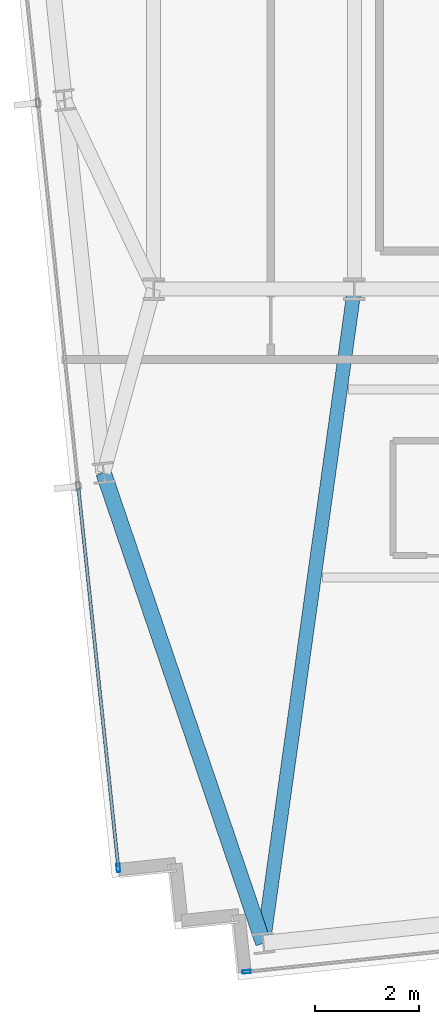
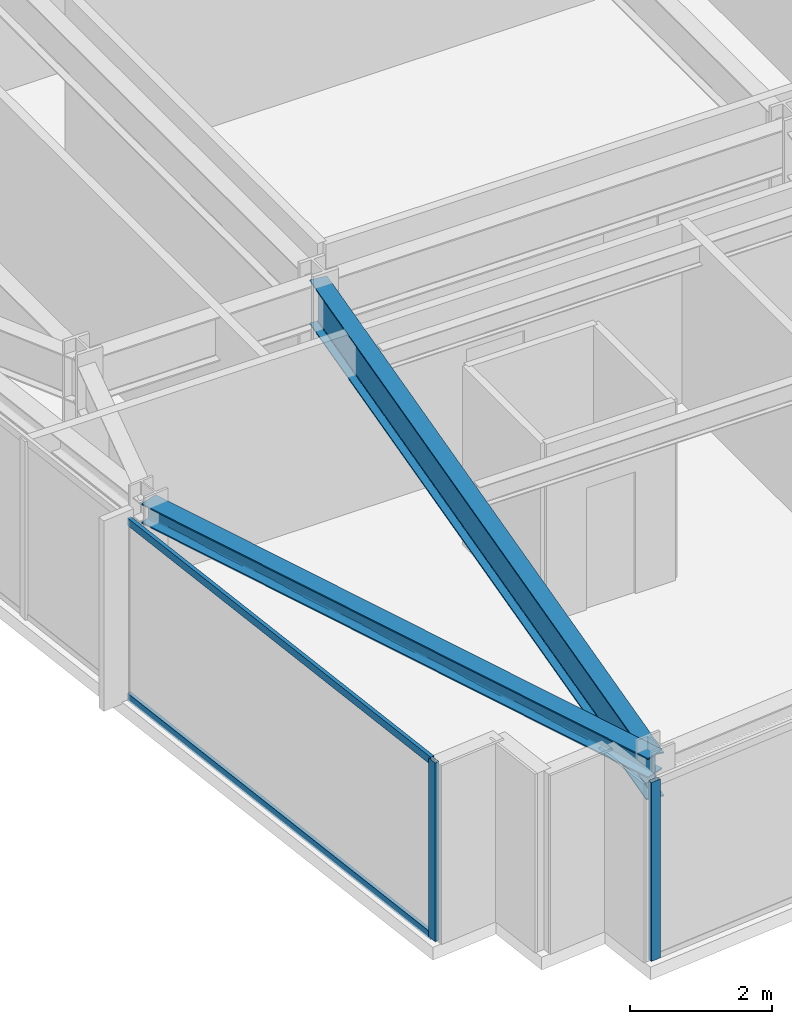
# One storey, part 2 of 33: 4 members, 2 beams, 2 elements without a shape of their own.
"""IFC4 building model written with IfcOpenShell, lengths in metres."""

from ifc_helpers import new_model, si_unit, direction, frame, origin, origin_2d, place, context, subcontext, project, spatial, hollow_rectangle, i_section, extrude, material, material_profile, profile_set, type_object, element, aggregate, save


model = new_model("IFC4")

# Units and contexts
model_context = context("Model", 3, precision=1e-05, world=origin(), true_north=direction((0.0, 1.0)))
body_context = subcontext(model_context, "Body", "Model", "MODEL_VIEW")
ifc_project = project(units=[si_unit("LENGTHUNIT", "METRE"), si_unit("AREAUNIT", "SQUARE_METRE"), si_unit("VOLUMEUNIT", "CUBIC_METRE"), si_unit("PLANEANGLEUNIT", "RADIAN"), si_unit("MASSUNIT", "GRAM", prefix="KILO")], contexts=[model_context])

# Site, building, storey
site_placement = place(None, origin())
site = spatial("IfcSite", under=ifc_project, at=site_placement, CompositionType="ELEMENT")
building_placement = place(site_placement, origin())
building = spatial("IfcBuilding", under=site, at=building_placement, Name="Yelkora Congress Tower", CompositionType="ELEMENT")
storey_placement = place(building_placement, frame((0.0, 0.0, 221.0)))
storey = spatial("IfcBuildingStorey", under=building, at=storey_placement, Name="L61", CompositionType="ELEMENT", Elevation=221.0)

# Beams
ifc_material_1 = material(Name="Steel S355J2", Category="steel")
ifc_material_profile_1 = material_profile(ifc_material_1, i_section(OverallWidth=0.26708984375, OverallDepth=0.761962890625, WebThickness=0.014404296875, FlangeThickness=0.021484375, FilletRadius=0.01708984375, at=origin_2d()), Name="IPE 750x173")
ifc_profile_set_1 = profile_set([ifc_material_profile_1], Name="Steel S355J2")
beam_type_1 = type_object("IfcBeamType", Name="BM-GIRD-IPE750", PredefinedType="BEAM", material=ifc_profile_set_1)
beam_1_placement = place(storey_placement, frame((21.299072265625, 12.678466796875, 2.698974609375), z_axis=(0.137713626184, 0.990472088028, 0.0), x_axis=(-0.990472088028, 0.137713626184, 0.0)))
element("IfcBeam", 1, at=beam_1_placement, inside=storey, type_object=beam_type_1, Name="L61 Primary Frame Girder S01", PredefinedType="BEAM", context=body_context, shape_type="SweptSolid", body=[
    extrude(i_section(OverallWidth=0.26708984375, OverallDepth=0.761962890625, WebThickness=0.014404296875, FlangeThickness=0.021484375, FilletRadius=0.01708984375, at=origin_2d()), origin(), (0.0, 0.0, 1.0), 12.641845703125),
])
ifc_material_profile_2 = material_profile(ifc_material_1, i_section(OverallWidth=0.300048828125, OverallDepth=0.340087890625, WebThickness=0.011962890625, FlangeThickness=0.021484375, FilletRadius=0.027099609375, at=origin_2d()), Name="HEB 340")
ifc_profile_set_2 = profile_set([ifc_material_profile_2], Name="Steel S355J2")
beam_type_2 = type_object("IfcBeamType", Name="BM-SPAN-HEB340", PredefinedType="SPANDREL", material=ifc_profile_set_2)
beam_2_placement = place(storey_placement, frame((18.2412109375, 21.68310546875, 2.909912109375), z_axis=(0.321552459514, -0.94689176561, 0.0), x_axis=(0.94689176561, 0.321552459514, 0.0)))
element("IfcBeam", 2, at=beam_2_placement, inside=storey, type_object=beam_type_2, Name="L61 Perimeter Beam 2", PredefinedType="SPANDREL", context=body_context, shape_type="SweptSolid", body=[
    extrude(i_section(OverallWidth=0.300048828125, OverallDepth=0.340087890625, WebThickness=0.011962890625, FlangeThickness=0.021484375, FilletRadius=0.027099609375, at=origin_2d()), origin(), (0.0, 0.0, 1.0), 9.509765625),
])

# Curtain wall, member
ifc_material_2 = material(Name="Anodised aluminium and insulated glass", Category="aluminium")
curtain_wall_type = type_object("IfcCurtainWallType", Name="CW-SYS-B4", PredefinedType="NOTDEFINED", material=ifc_material_2)
curtain_wall_1_placement = place(storey_placement, origin())
curtain_wall_1 = element("IfcCurtainWall", 3, at=curtain_wall_1_placement, inside=storey, type_object=curtain_wall_type, Name="L61 Unitised Curtain Wall 5", PredefinedType="NOTDEFINED")
ifc_material_3 = material(Name="Anodised aluminium 6063-T6", Category="aluminium")
ifc_material_profile_3 = material_profile(ifc_material_3, hollow_rectangle(XDim=0.06494140625, YDim=0.159912109375, WallThickness=0.00390625, at=origin_2d()), Name="ALU 65x160x4")
ifc_profile_set_3 = profile_set([ifc_material_profile_3], Name="Anodised aluminium 6063-T6")
member_type_1 = type_object("IfcMemberType", Name="MEM-ML-B4", PredefinedType="MULLION", material=ifc_profile_set_3)
member_1_placement = place(storey_placement, frame((18.523193359375, 14.118896484375, 0.0), z_axis=(0.0, 0.0, 1.0), x_axis=(-0.994522145958, -0.104526079034, 0.0)))
member_1 = element("IfcMember", 4, at=member_1_placement, type_object=member_type_1, Name="CW-B4 mullion 1", PredefinedType="MULLION", context=body_context, shape_type="SweptSolid", body=[
    extrude(hollow_rectangle(XDim=0.06494140625, YDim=0.159912109375, WallThickness=0.00390625, at=origin_2d()), origin(), (0.0, 0.0, 1.0), 3.080078125),
])

curtain_wall_2_placement = place(storey_placement, origin())
curtain_wall_2 = element("IfcCurtainWall", 5, at=curtain_wall_2_placement, inside=storey, type_object=curtain_wall_type, Name="L61 Unitised Curtain Wall 20", PredefinedType="NOTDEFINED")
member_2_placement = place(storey_placement, frame((20.976806640625, 12.1318359375, 0.0), z_axis=(0.0, 0.0, 1.0), x_axis=(0.104526664994, -0.994522084373, 0.0)))
member_2 = element("IfcMember", 6, at=member_2_placement, type_object=member_type_1, Name="CW-B4 mullion 8", PredefinedType="MULLION", context=body_context, shape_type="SweptSolid", body=[
    extrude(hollow_rectangle(XDim=0.06494140625, YDim=0.159912109375, WallThickness=0.00390625, at=origin_2d()), origin(), (0.0, 0.0, 1.0), 3.080078125),
])
aggregate(curtain_wall_2, [member_2])

# Member
ifc_material_profile_4 = material_profile(ifc_material_3, hollow_rectangle(XDim=0.06005859375, YDim=0.1298828125, WallThickness=0.00390625, at=origin_2d()), Name="ALU 60x130x4")
ifc_profile_set_4 = profile_set([ifc_material_profile_4], Name="Anodised aluminium 6063-T6")
member_type_2 = type_object("IfcMemberType", Name="MEM-TR-B4", PredefinedType="USERDEFINED", material=ifc_profile_set_4)
member_3_placement = place(storey_placement, frame((18.52001953125, 14.151123046875, 0.030029296875), z_axis=(-0.104527725728, 0.994521972886, 0.0), x_axis=(-0.994521972886, -0.104527725728, 0.0)))
member_3 = element("IfcMember", 7, at=member_3_placement, type_object=member_type_2, Name="CW-B4 transom 1.1", ObjectType="TRANSOM", PredefinedType="USERDEFINED", context=body_context, shape_type="SweptSolid", body=[
    extrude(hollow_rectangle(XDim=0.06005859375, YDim=0.1298828125, WallThickness=0.00390625, at=origin_2d()), origin(), (0.0, 0.0, 1.0), 7.282470703125),
])

member_4_placement = place(storey_placement, frame((18.52001953125, 14.151123046875, 3.050048828125), z_axis=(-0.104527725728, 0.994521972886, 0.0), x_axis=(-0.994521972886, -0.104527725728, 0.0)))
member_4 = element("IfcMember", 8, at=member_4_placement, type_object=member_type_2, Name="CW-B4 transom 1.2", ObjectType="TRANSOM", PredefinedType="USERDEFINED", context=body_context, shape_type="SweptSolid", body=[
    extrude(hollow_rectangle(XDim=0.06005859375, YDim=0.1298828125, WallThickness=0.00390625, at=origin_2d()), origin(), (0.0, 0.0, 1.0), 7.282470703125),
])

aggregate(curtain_wall_1, [member_1, member_3, member_4])

save(model, "model.ifc")
